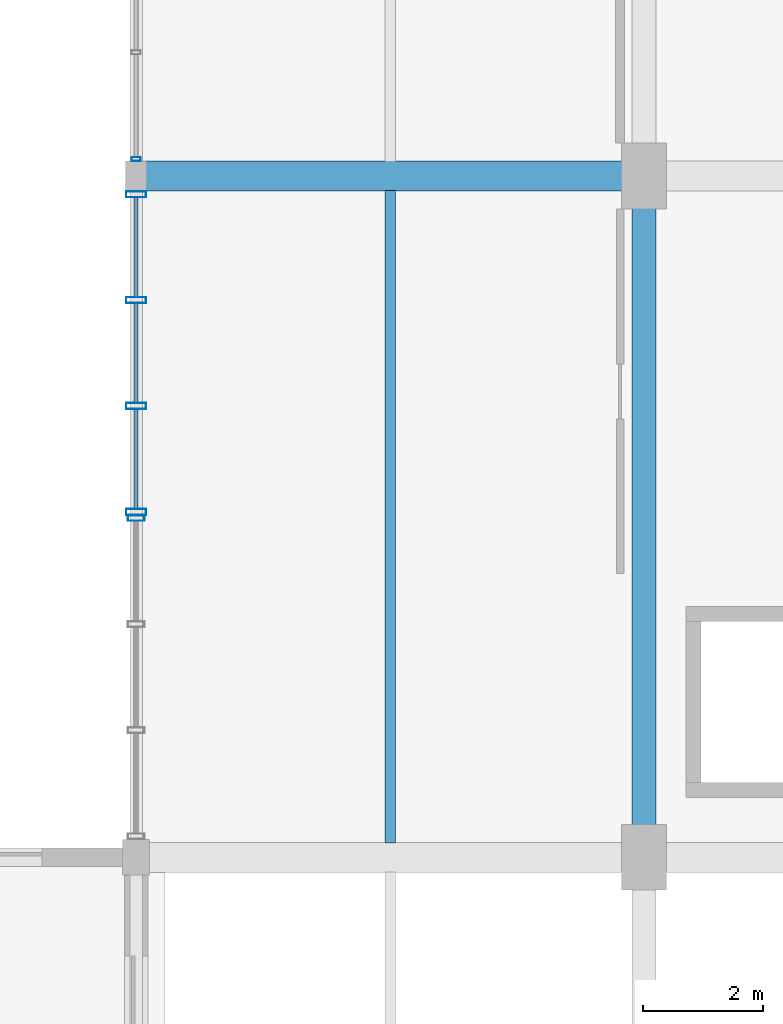
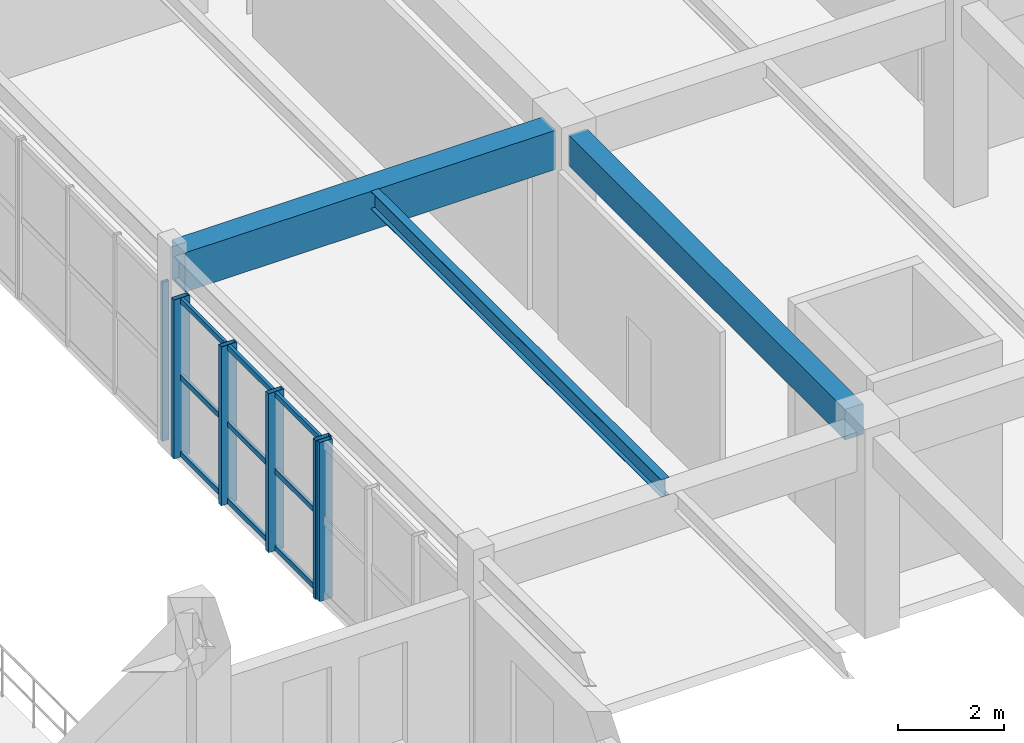
# One storey, part 37 of 106: 15 members, 3 beams, 3 elements without a shape of their own.
"""IFC4 building model written with IfcOpenShell, lengths in metres."""

from ifc_helpers import new_model, si_unit, direction, frame, origin, origin_2d, place, context, subcontext, project, spatial, rectangle, hollow_rectangle, i_section, extrude, material, layer, layer_set, material_profile, profile_set, type_object, element, aggregate, save


model = new_model("IFC4")

# Units and contexts
model_context = context("Model", 3, precision=1e-05, world=origin(), true_north=direction((0.0, 1.0)))
body_context = subcontext(model_context, "Body", "Model", "MODEL_VIEW")
ifc_project = project(units=[si_unit("LENGTHUNIT", "METRE"), si_unit("AREAUNIT", "SQUARE_METRE"), si_unit("VOLUMEUNIT", "CUBIC_METRE"), si_unit("PLANEANGLEUNIT", "RADIAN"), si_unit("MASSUNIT", "GRAM", prefix="KILO"), si_unit("POWERUNIT", "WATT"), si_unit("THERMODYNAMICTEMPERATUREUNIT", "KELVIN")], contexts=[model_context])

# Site, building, storey
site_placement = place(None, origin())
site = spatial("IfcSite", under=ifc_project, at=site_placement, CompositionType="ELEMENT")
building_placement = place(site_placement, origin())
building = spatial("IfcBuilding", under=site, at=building_placement, Name="Kelmbourne Parkland Aquatics Centre", CompositionType="ELEMENT")
storey_placement = place(building_placement, frame((0.0, 0.0, 5.39990234375)))
storey = spatial("IfcBuildingStorey", under=building, at=storey_placement, Name="L01", CompositionType="ELEMENT", Elevation=5.39990234375)

# Beams
ifc_material_1 = material(Name="Concrete C40/50", Category="concrete")
ifc_material_profile_1 = material_profile(ifc_material_1, rectangle(XDim=0.5, YDim=0.89990234375, at=origin_2d()), Name="RC 500x900")
ifc_profile_set_1 = profile_set([ifc_material_profile_1], Name="Concrete C40/50")
beam_type_1 = type_object("IfcBeamType", Name="BM-G03", PredefinedType="BEAM", material=ifc_profile_set_1)
beam_1_placement = place(storey_placement, frame((102.1298828125, 23.60009765625, 4.110107421875), z_axis=(1.0, 0.0, 0.0), x_axis=(0.0, 1.0, 0.0)))
element("IfcBeam", 1, at=beam_1_placement, inside=storey, type_object=beam_type_1, Name="Primary girder M-N Grid 04 (L02)", PredefinedType="BEAM", context=body_context, shape_type="SweptSolid", body=[
    extrude(rectangle(XDim=0.5, YDim=0.89990234375, at=origin_2d()), origin(), (0.0, 0.0, 1.0), 8.0400390625),
])
ifc_material_profile_2 = material_profile(ifc_material_1, rectangle(XDim=0.39990234375, YDim=0.699951171875, at=origin_2d()), Name="RC 400x700")
ifc_profile_set_2 = profile_set([ifc_material_profile_2], Name="Concrete C40/50")
beam_type_2 = type_object("IfcBeamType", Name="BM-G05", PredefinedType="BEAM", material=ifc_profile_set_2)
beam_2_placement = place(storey_placement, frame((110.5, 12.705078125, 4.210205078125), z_axis=(0.0, 1.0, 0.0), x_axis=(-1.0, 0.0, 0.0)))
element("IfcBeam", 2, at=beam_2_placement, inside=storey, type_object=beam_type_2, Name="Primary girder 03-04 Grid N (L02)", PredefinedType="BEAM", context=body_context, shape_type="SweptSolid", body=[
    extrude(rectangle(XDim=0.39990234375, YDim=0.699951171875, at=origin_2d()), origin(), (0.0, 0.0, 1.0), 10.389892578125),
])
ifc_material_2 = material(Name="Structural steel AS/NZS 3679.1 Grade 300", Category="steel")
ifc_material_profile_3 = material_profile(ifc_material_2, i_section(OverallWidth=0.177978515625, OverallDepth=0.406005859375, WebThickness=0.0078125, FlangeThickness=0.0126953125, at=origin_2d()), Name="410UB59.7")
ifc_profile_set_3 = profile_set([ifc_material_profile_3], Name="Structural steel AS/NZS 3679.1 Grade 300")
beam_type_3 = type_object("IfcBeamType", Name="BM-J01", PredefinedType="JOIST", material=ifc_profile_set_3)
beam_3_placement = place(storey_placement, frame((106.25, 12.44189453125, 4.357177734375), z_axis=(0.0, 1.0, 0.0), x_axis=(-1.0, 0.0, 0.0)))
element("IfcBeam", 3, at=beam_3_placement, inside=storey, type_object=beam_type_3, Name="Secondary floor joist M-N/03-04 #1 (L02)", PredefinedType="JOIST", context=body_context, shape_type="SweptSolid", body=[
    extrude(i_section(OverallWidth=0.177978515625, OverallDepth=0.406005859375, WebThickness=0.0078125, FlangeThickness=0.0126953125, at=origin_2d()), origin(), (0.0, 0.0, 1.0), 10.916015625),
])

# Curtain wall, member
ifc_material_3 = material(Name="Thermally broken anodised aluminium framing", Category="aluminium")
ifc_layer_1 = layer(ifc_material_3, 0.179931640625)
ifc_layer_set_1 = layer_set([ifc_layer_1], Name="Thermally broken anodised aluminium framing")
curtain_wall_type_1 = type_object("IfcCurtainWallType", Name="CW-22", PredefinedType="NOTDEFINED", material=ifc_layer_set_1)
curtain_wall_1_placement = place(storey_placement, origin())
curtain_wall_1 = element("IfcCurtainWall", 4, at=curtain_wall_1_placement, inside=storey, type_object=curtain_wall_type_1, Name="Facade curtain wall CW-L01-190", PredefinedType="NOTDEFINED")
ifc_material_profile_4 = material_profile(ifc_material_3, hollow_rectangle(XDim=0.06494140625, YDim=0.14990234375, WallThickness=0.00390625, at=origin_2d()), Name="CW-M 65x150")
ifc_profile_set_4 = profile_set([ifc_material_profile_4], Name="Thermally broken anodised aluminium framing")
member_type_1 = type_object("IfcMemberType", Name="MB-MUL-1", PredefinedType="MULLION", material=ifc_profile_set_4)
member_1_placement = place(storey_placement, frame((102.0, 23.884521484375, 0.0), z_axis=(0.0, 0.0, 1.0), x_axis=(0.0, 1.0, 0.0)))
member_1 = element("IfcMember", 5, at=member_1_placement, type_object=member_type_1, Name="CW-L01-190 mullion 0", PredefinedType="MULLION", context=body_context, shape_type="SweptSolid", body=[
    extrude(hollow_rectangle(XDim=0.06494140625, YDim=0.14990234375, WallThickness=0.00390625, at=origin_2d()), origin(), (0.0, 0.0, 1.0), 3.64501953125),
])
aggregate(curtain_wall_1, [member_1])

ifc_layer_2 = layer(ifc_material_3, 0.179931640625)
ifc_layer_set_2 = layer_set([ifc_layer_2], Name="Thermally broken anodised aluminium framing")
curtain_wall_type_2 = type_object("IfcCurtainWallType", Name="CW-20", PredefinedType="NOTDEFINED", material=ifc_layer_set_2)
curtain_wall_2_placement = place(storey_placement, origin())
curtain_wall_2 = element("IfcCurtainWall", 6, at=curtain_wall_2_placement, inside=storey, type_object=curtain_wall_type_2, Name="Facade curtain wall CW-L01-188", PredefinedType="NOTDEFINED")
ifc_material_profile_5 = material_profile(ifc_material_3, hollow_rectangle(XDim=0.094970703125, YDim=0.280029296875, WallThickness=0.005615234375, at=origin_2d()), Name="CW-M 95x280")
ifc_profile_set_5 = profile_set([ifc_material_profile_5], Name="Thermally broken anodised aluminium framing")
member_type_2 = type_object("IfcMemberType", Name="MB-MUL-4", PredefinedType="MULLION", material=ifc_profile_set_5)
member_2_placement = place(storey_placement, frame((102.0, 17.87744140625, 0.0), z_axis=(0.0, 0.0, 1.0), x_axis=(0.0, 1.0, 0.0)))
member_2 = element("IfcMember", 7, at=member_2_placement, type_object=member_type_2, Name="CW-L01-188 mullion 3", PredefinedType="MULLION", context=body_context, shape_type="SweptSolid", body=[
    extrude(hollow_rectangle(XDim=0.094970703125, YDim=0.280029296875, WallThickness=0.005615234375, at=origin_2d()), origin(), (0.0, 0.0, 1.0), 3.64501953125),
])
aggregate(curtain_wall_2, [member_2])

# Curtain wall, members
ifc_layer_3 = layer(ifc_material_3, 0.179931640625)
ifc_layer_set_3 = layer_set([ifc_layer_3], Name="Thermally broken anodised aluminium framing")
curtain_wall_type_3 = type_object("IfcCurtainWallType", Name="CW-21", PredefinedType="NOTDEFINED", material=ifc_layer_set_3)
curtain_wall_3_placement = place(storey_placement, origin())
curtain_wall_3 = element("IfcCurtainWall", 8, at=curtain_wall_3_placement, inside=storey, type_object=curtain_wall_type_3, Name="Facade curtain wall CW-L01-189", PredefinedType="NOTDEFINED")
ifc_material_profile_6 = material_profile(ifc_material_3, hollow_rectangle(XDim=0.10498046875, YDim=0.340087890625, WallThickness=0.006103515625, at=origin_2d()), Name="CW-M 105x340")
ifc_profile_set_6 = profile_set([ifc_material_profile_6], Name="Thermally broken anodised aluminium framing")
member_type_3 = type_object("IfcMemberType", Name="MB-MUL-5", PredefinedType="MULLION", material=ifc_profile_set_6)
member_3_placement = place(storey_placement, frame((102.0, 17.9775390625, 0.0), z_axis=(0.0, 0.0, 1.0), x_axis=(0.0, 1.0, 0.0)))
member_3 = element("IfcMember", 9, at=member_3_placement, type_object=member_type_3, Name="CW-L01-189 mullion 0", PredefinedType="MULLION", context=body_context, shape_type="SweptSolid", body=[
    extrude(hollow_rectangle(XDim=0.10498046875, YDim=0.340087890625, WallThickness=0.006103515625, at=origin_2d()), origin(), (0.0, 0.0, 1.0), 3.64501953125),
])
member_4_placement = place(storey_placement, frame((102.0, 19.750244140625, 0.0), z_axis=(0.0, 0.0, 1.0), x_axis=(0.0, 1.0, 0.0)))
member_4 = element("IfcMember", 10, at=member_4_placement, type_object=member_type_3, Name="CW-L01-189 mullion 1", PredefinedType="MULLION", context=body_context, shape_type="SweptSolid", body=[
    extrude(hollow_rectangle(XDim=0.10498046875, YDim=0.340087890625, WallThickness=0.006103515625, at=origin_2d()), origin(), (0.0, 0.0, 1.0), 3.64501953125),
])
member_5_placement = place(storey_placement, frame((102.0, 21.522705078125, 0.0), z_axis=(0.0, 0.0, 1.0), x_axis=(0.0, 1.0, 0.0)))
member_5 = element("IfcMember", 11, at=member_5_placement, type_object=member_type_3, Name="CW-L01-189 mullion 2", PredefinedType="MULLION", context=body_context, shape_type="SweptSolid", body=[
    extrude(hollow_rectangle(XDim=0.10498046875, YDim=0.340087890625, WallThickness=0.006103515625, at=origin_2d()), origin(), (0.0, 0.0, 1.0), 3.64501953125),
])
member_6_placement = place(storey_placement, frame((102.0, 23.29541015625, 0.0), z_axis=(0.0, 0.0, 1.0), x_axis=(0.0, 1.0, 0.0)))
member_6 = element("IfcMember", 12, at=member_6_placement, type_object=member_type_3, Name="CW-L01-189 mullion 3", PredefinedType="MULLION", context=body_context, shape_type="SweptSolid", body=[
    extrude(hollow_rectangle(XDim=0.10498046875, YDim=0.340087890625, WallThickness=0.006103515625, at=origin_2d()), origin(), (0.0, 0.0, 1.0), 3.64501953125),
])
ifc_material_profile_7 = material_profile(ifc_material_3, hollow_rectangle(XDim=0.06494140625, YDim=0.1201171875, WallThickness=0.00341796875, at=origin_2d()), Name="CW-T 65x120")
ifc_profile_set_7 = profile_set([ifc_material_profile_7], Name="Thermally broken anodised aluminium framing")
member_type_4 = type_object("IfcMemberType", Name="MB-TRN-1", PredefinedType="USERDEFINED", material=ifc_profile_set_7)
member_7_placement = place(storey_placement, frame((102.0, 18.02587890625, 0.06298828125), z_axis=(0.0, 1.0, 0.0), x_axis=(-1.0, 0.0, 0.0)))
member_7 = element("IfcMember", 13, at=member_7_placement, type_object=member_type_4, Name="CW-L01-189 transom 0-0", ObjectType="TRANSOM", PredefinedType="USERDEFINED", context=body_context, shape_type="SweptSolid", body=[
    extrude(hollow_rectangle(XDim=0.06494140625, YDim=0.1201171875, WallThickness=0.00341796875, at=origin_2d()), origin(), (0.0, 0.0, 1.0), 1.67578125),
])
member_8_placement = place(storey_placement, frame((102.0, 19.798583984375, 0.06298828125), z_axis=(0.0, 1.0, 0.0), x_axis=(-1.0, 0.0, 0.0)))
member_8 = element("IfcMember", 14, at=member_8_placement, type_object=member_type_4, Name="CW-L01-189 transom 0-1", ObjectType="TRANSOM", PredefinedType="USERDEFINED", context=body_context, shape_type="SweptSolid", body=[
    extrude(hollow_rectangle(XDim=0.06494140625, YDim=0.1201171875, WallThickness=0.00341796875, at=origin_2d()), origin(), (0.0, 0.0, 1.0), 1.67578125),
])
member_9_placement = place(storey_placement, frame((102.0, 21.5712890625, 0.06298828125), z_axis=(0.0, 1.0, 0.0), x_axis=(-1.0, 0.0, 0.0)))
member_9 = element("IfcMember", 15, at=member_9_placement, type_object=member_type_4, Name="CW-L01-189 transom 0-2", ObjectType="TRANSOM", PredefinedType="USERDEFINED", context=body_context, shape_type="SweptSolid", body=[
    extrude(hollow_rectangle(XDim=0.06494140625, YDim=0.1201171875, WallThickness=0.00341796875, at=origin_2d()), origin(), (0.0, 0.0, 1.0), 1.67578125),
])
member_10_placement = place(storey_placement, frame((102.0, 18.02587890625, 1.822509765625), z_axis=(0.0, 1.0, 0.0), x_axis=(-1.0, 0.0, 0.0)))
member_10 = element("IfcMember", 16, at=member_10_placement, type_object=member_type_4, Name="CW-L01-189 transom 1-0", ObjectType="TRANSOM", PredefinedType="USERDEFINED", context=body_context, shape_type="SweptSolid", body=[
    extrude(hollow_rectangle(XDim=0.06494140625, YDim=0.1201171875, WallThickness=0.00341796875, at=origin_2d()), origin(), (0.0, 0.0, 1.0), 1.67578125),
])
member_11_placement = place(storey_placement, frame((102.0, 19.798583984375, 1.822509765625), z_axis=(0.0, 1.0, 0.0), x_axis=(-1.0, 0.0, 0.0)))
member_11 = element("IfcMember", 17, at=member_11_placement, type_object=member_type_4, Name="CW-L01-189 transom 1-1", ObjectType="TRANSOM", PredefinedType="USERDEFINED", context=body_context, shape_type="SweptSolid", body=[
    extrude(hollow_rectangle(XDim=0.06494140625, YDim=0.1201171875, WallThickness=0.00341796875, at=origin_2d()), origin(), (0.0, 0.0, 1.0), 1.67578125),
])
member_12_placement = place(storey_placement, frame((102.0, 21.5712890625, 1.822509765625), z_axis=(0.0, 1.0, 0.0), x_axis=(-1.0, 0.0, 0.0)))
member_12 = element("IfcMember", 18, at=member_12_placement, type_object=member_type_4, Name="CW-L01-189 transom 1-2", ObjectType="TRANSOM", PredefinedType="USERDEFINED", context=body_context, shape_type="SweptSolid", body=[
    extrude(hollow_rectangle(XDim=0.06494140625, YDim=0.1201171875, WallThickness=0.00341796875, at=origin_2d()), origin(), (0.0, 0.0, 1.0), 1.67578125),
])
member_13_placement = place(storey_placement, frame((102.0, 18.02587890625, 3.58203125), z_axis=(0.0, 1.0, 0.0), x_axis=(-1.0, 0.0, 0.0)))
member_13 = element("IfcMember", 19, at=member_13_placement, type_object=member_type_4, Name="CW-L01-189 transom 2-0", ObjectType="TRANSOM", PredefinedType="USERDEFINED", context=body_context, shape_type="SweptSolid", body=[
    extrude(hollow_rectangle(XDim=0.06494140625, YDim=0.1201171875, WallThickness=0.00341796875, at=origin_2d()), origin(), (0.0, 0.0, 1.0), 1.67578125),
])
member_14_placement = place(storey_placement, frame((102.0, 19.798583984375, 3.58203125), z_axis=(0.0, 1.0, 0.0), x_axis=(-1.0, 0.0, 0.0)))
member_14 = element("IfcMember", 20, at=member_14_placement, type_object=member_type_4, Name="CW-L01-189 transom 2-1", ObjectType="TRANSOM", PredefinedType="USERDEFINED", context=body_context, shape_type="SweptSolid", body=[
    extrude(hollow_rectangle(XDim=0.06494140625, YDim=0.1201171875, WallThickness=0.00341796875, at=origin_2d()), origin(), (0.0, 0.0, 1.0), 1.67578125),
])
member_15_placement = place(storey_placement, frame((102.0, 21.5712890625, 3.58203125), z_axis=(0.0, 1.0, 0.0), x_axis=(-1.0, 0.0, 0.0)))
member_15 = element("IfcMember", 21, at=member_15_placement, type_object=member_type_4, Name="CW-L01-189 transom 2-2", ObjectType="TRANSOM", PredefinedType="USERDEFINED", context=body_context, shape_type="SweptSolid", body=[
    extrude(hollow_rectangle(XDim=0.06494140625, YDim=0.1201171875, WallThickness=0.00341796875, at=origin_2d()), origin(), (0.0, 0.0, 1.0), 1.67578125),
])
aggregate(curtain_wall_3, [member_3, member_4, member_5, member_6, member_7, member_8, member_9, member_10, member_11, member_12, member_13, member_14, member_15])

save(model, "model.ifc")
